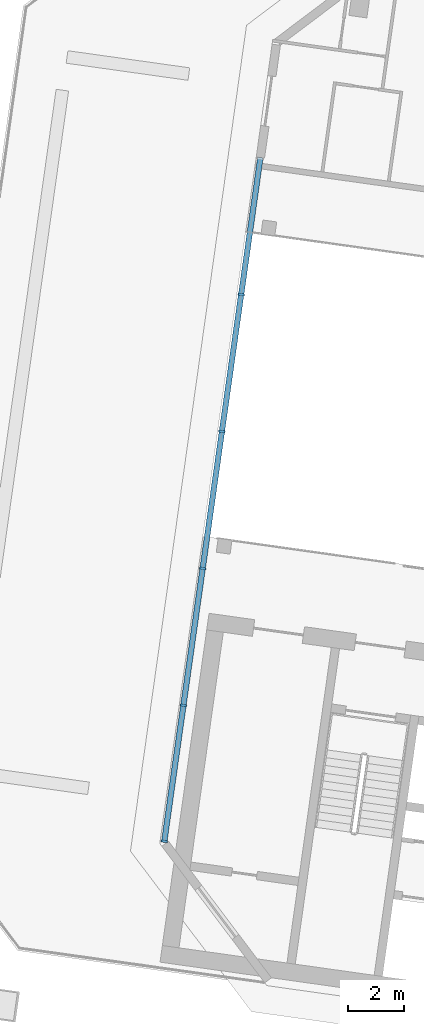
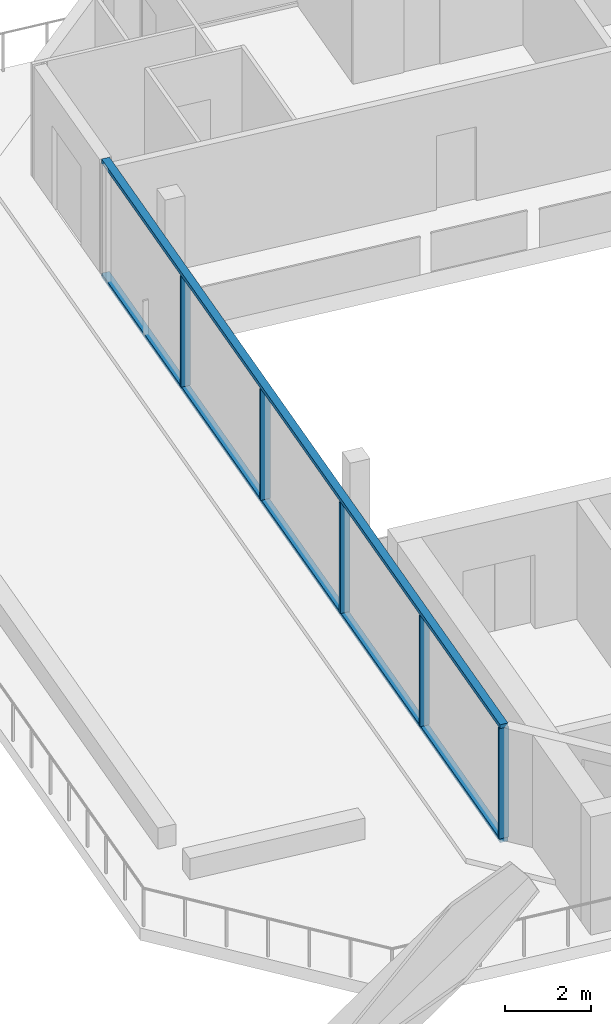
# One storey, part 2 of 17: 7 members, 1 element without a shape of its own.
"""IFC4 building model written with IfcOpenShell, lengths in metres."""

from ifc_helpers import new_model, si_unit, direction, frame, origin, origin_2d, place, context, subcontext, project, spatial, rectangle, extrude, material, material_profile, profile_set, type_object, element, aggregate, save


model = new_model("IFC4")

# Units and contexts
model_context = context("Model", 3, precision=1e-05, world=origin(), true_north=direction((0.0, 1.0)))
body_context = subcontext(model_context, "Body", "Model", "MODEL_VIEW")
ifc_project = project(units=[si_unit("LENGTHUNIT", "METRE"), si_unit("AREAUNIT", "SQUARE_METRE"), si_unit("VOLUMEUNIT", "CUBIC_METRE"), si_unit("PLANEANGLEUNIT", "RADIAN"), si_unit("MASSUNIT", "GRAM", prefix="KILO")], contexts=[model_context])

# Site, building, storey
site_placement = place(None, origin())
site = spatial("IfcSite", under=ifc_project, at=site_placement, CompositionType="ELEMENT")
building_placement = place(site_placement, origin())
building = spatial("IfcBuilding", under=site, at=building_placement, Name="Mirante Cascada Hotel Towers", CompositionType="ELEMENT")
storey_placement = place(building_placement, frame((0.0, 0.0, 250.8)))
storey = spatial("IfcBuildingStorey", under=building, at=storey_placement, Name="L60", CompositionType="ELEMENT", Elevation=250.8)

# Curtain wall, members
ifc_material_1 = material(Name="Aluminium mullion and transom frame with clear laminated glass", Category="aluminium")
curtain_wall_type = type_object("IfcCurtainWallType", Name="Sky garden curtain wall ECW4", PredefinedType="NOTDEFINED", material=ifc_material_1)
curtain_wall_placement = place(storey_placement, origin())
curtain_wall = element("IfcCurtainWall", 1, at=curtain_wall_placement, inside=storey, type_object=curtain_wall_type, Name="Sky garden wall T1 L60 run 1", PredefinedType="NOTDEFINED")
ifc_material_2 = material(Name="Anodised aluminium extrusion", Category="aluminium")
ifc_material_profile_1 = material_profile(ifc_material_2, rectangle(XDim=0.24, YDim=0.075, at=origin_2d()), Name="ECW4 MULLION 75x240")
ifc_profile_set_1 = profile_set([ifc_material_profile_1], Name="Anodised aluminium extrusion")
member_type_1 = type_object("IfcMemberType", Name="ECW4 mullion 75x240", PredefinedType="MULLION", material=ifc_profile_set_1)
member_1_placement = place(storey_placement, frame((-58.5928, -12.5234, 0.11), z_axis=(0.0, 0.0, 1.0), x_axis=(-0.9902681, 0.1391731, 0.0)))
member_1 = element("IfcMember", 2, at=member_1_placement, type_object=member_type_1, Name="ECW4 mullion 1", PredefinedType="MULLION", context=body_context, shape_type="SweptSolid", body=[
    extrude(rectangle(XDim=0.24, YDim=0.075, at=origin_2d()), origin(), (0.0, 0.0, 1.0), 3.13),
])
member_2_placement = place(storey_placement, frame((-57.9095, -7.6611, 0.11), z_axis=(0.0, 0.0, 1.0), x_axis=(-0.9902681, 0.1391731, 0.0)))
member_2 = element("IfcMember", 3, at=member_2_placement, type_object=member_type_1, Name="ECW4 mullion 2", PredefinedType="MULLION", context=body_context, shape_type="SweptSolid", body=[
    extrude(rectangle(XDim=0.24, YDim=0.075, at=origin_2d()), origin(), (0.0, 0.0, 1.0), 3.13),
])
member_3_placement = place(storey_placement, frame((-57.2209, -2.7617, 0.11), z_axis=(0.0, 0.0, 1.0), x_axis=(-0.9902681, 0.1391731, 0.0)))
member_3 = element("IfcMember", 4, at=member_3_placement, type_object=member_type_1, Name="ECW4 mullion 3", PredefinedType="MULLION", context=body_context, shape_type="SweptSolid", body=[
    extrude(rectangle(XDim=0.24, YDim=0.075, at=origin_2d()), origin(), (0.0, 0.0, 1.0), 3.13),
])
member_4_placement = place(storey_placement, frame((-56.5324, 2.1377, 0.11), z_axis=(0.0, 0.0, 1.0), x_axis=(-0.9902681, 0.1391731, 0.0)))
member_4 = element("IfcMember", 5, at=member_4_placement, type_object=member_type_1, Name="ECW4 mullion 4", PredefinedType="MULLION", context=body_context, shape_type="SweptSolid", body=[
    extrude(rectangle(XDim=0.24, YDim=0.075, at=origin_2d()), origin(), (0.0, 0.0, 1.0), 3.13),
])
member_5_placement = place(storey_placement, frame((-55.8438, 7.0371, 0.11), z_axis=(0.0, 0.0, 1.0), x_axis=(-0.9902681, 0.1391731, 0.0)))
member_5 = element("IfcMember", 6, at=member_5_placement, type_object=member_type_1, Name="ECW4 mullion 5", PredefinedType="MULLION", context=body_context, shape_type="SweptSolid", body=[
    extrude(rectangle(XDim=0.24, YDim=0.075, at=origin_2d()), origin(), (0.0, 0.0, 1.0), 3.13),
])
ifc_material_3 = material(Name="Anodised aluminium extrusion", Category="aluminium")
ifc_material_profile_2 = material_profile(ifc_material_3, rectangle(XDim=0.2, YDim=0.11, at=origin_2d()), Name="ECW4 TRANSOM 110x200")
ifc_profile_set_2 = profile_set([ifc_material_profile_2], Name="Anodised aluminium extrusion")
member_type_2 = type_object("IfcMemberType", Name="ECW4 transom 110x200", PredefinedType="USERDEFINED", material=ifc_profile_set_2)
member_6_placement = place(storey_placement, frame((-58.5981, -12.5606, 0.055), z_axis=(0.1391748, 0.9902678, 0.0), x_axis=(-0.9902678, 0.1391748, 0.0)))
member_6 = element("IfcMember", 7, at=member_6_placement, type_object=member_type_2, Name="ECW4 sill transom", ObjectType="TRANSOM", PredefinedType="USERDEFINED", context=body_context, shape_type="SweptSolid", body=[
    extrude(rectangle(XDim=0.2, YDim=0.11, at=origin_2d()), origin(), (0.0, 0.0, 1.0), 24.738),
])
member_7_placement = place(storey_placement, frame((-58.5981, -12.5606, 3.295), z_axis=(0.1391748, 0.9902678, 0.0), x_axis=(-0.9902678, 0.1391748, 0.0)))
member_7 = element("IfcMember", 8, at=member_7_placement, type_object=member_type_2, Name="ECW4 head transom", ObjectType="TRANSOM", PredefinedType="USERDEFINED", context=body_context, shape_type="SweptSolid", body=[
    extrude(rectangle(XDim=0.2, YDim=0.11, at=origin_2d()), origin(), (0.0, 0.0, 1.0), 24.738),
])
aggregate(curtain_wall, [member_6, member_7, member_1, member_2, member_3, member_4, member_5])

save(model, "model.ifc")
